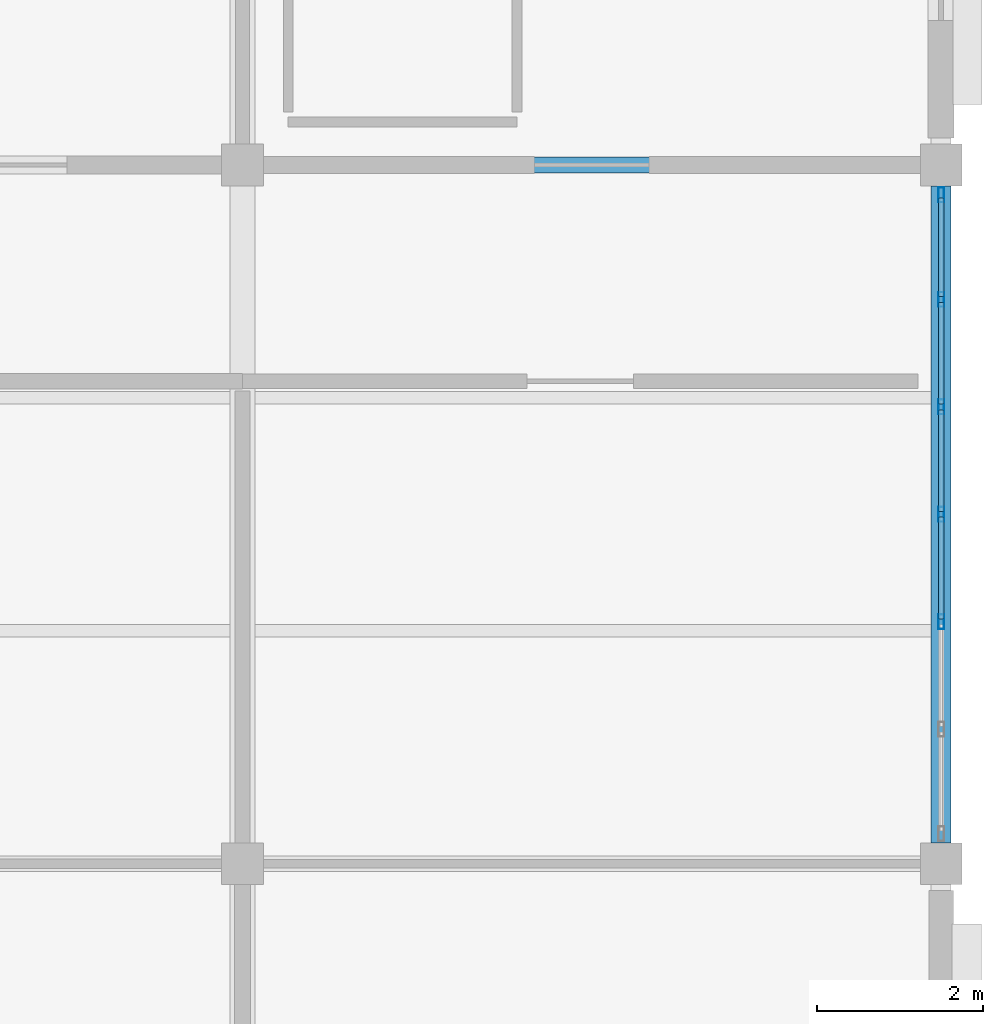
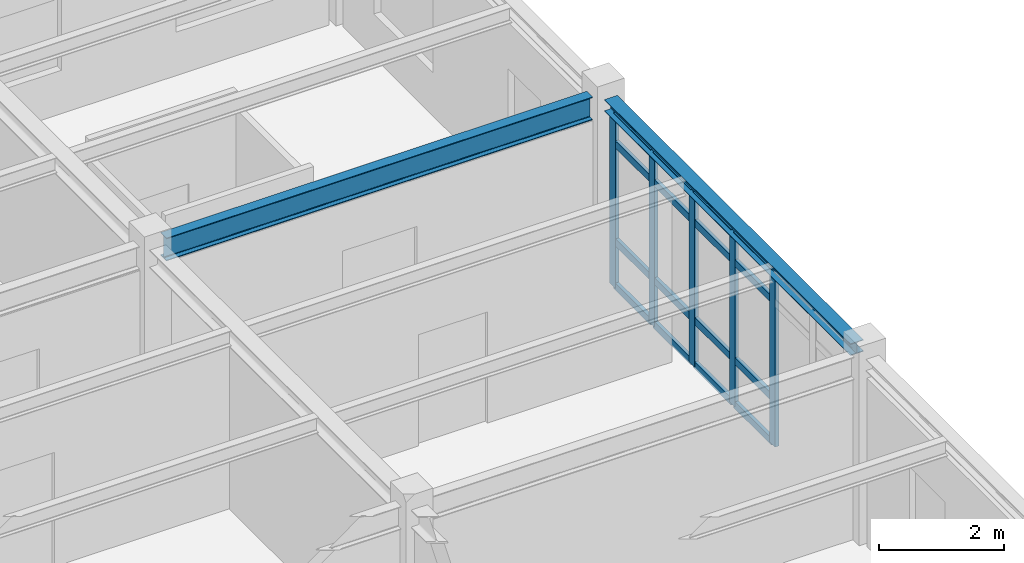
# One storey, part 42 of 86: 21 members, 2 beams, 1 element without a shape of its own.
"""IFC4 building model written with IfcOpenShell, lengths in metres."""

from ifc_helpers import new_model, si_unit, direction, frame, origin, origin_2d, place, context, subcontext, project, spatial, hollow_rectangle, i_section, extrude, material, layer, layer_set, material_profile, profile_set, type_object, element, aggregate, save


model = new_model("IFC4")

# Units and contexts
model_context = context("Model", 3, precision=1e-05, world=origin(), true_north=direction((0.0, 1.0)))
body_context = subcontext(model_context, "Body", "Model", "MODEL_VIEW")
ifc_project = project(units=[si_unit("LENGTHUNIT", "METRE"), si_unit("AREAUNIT", "SQUARE_METRE"), si_unit("VOLUMEUNIT", "CUBIC_METRE"), si_unit("PLANEANGLEUNIT", "RADIAN"), si_unit("MASSUNIT", "GRAM", prefix="KILO")], contexts=[model_context])

# Site, building, storey
site_placement = place(None, origin())
site = spatial("IfcSite", under=ifc_project, at=site_placement, CompositionType="ELEMENT")
building_placement = place(site_placement, origin())
building = spatial("IfcBuilding", under=site, at=building_placement, Name="Bramfleet General Hospital", CompositionType="ELEMENT")
storey_placement = place(building_placement, frame((0.0, 0.0, 18.60009765625)))
storey = spatial("IfcBuildingStorey", under=building, at=storey_placement, Name="L04", CompositionType="ELEMENT", Elevation=18.60009765625)

# Beams
ifc_material_1 = material(Name="Steel S355", Category="steel")
ifc_material_profile_1 = material_profile(ifc_material_1, i_section(OverallWidth=0.239990234375, OverallDepth=0.22998046875, WebThickness=0.007568359375, FlangeThickness=0.011962890625, FilletRadius=0.02099609375, at=origin_2d()), Name="HEA 240")
ifc_profile_set_1 = profile_set([ifc_material_profile_1], Name="Steel S355")
beam_type_1 = type_object("IfcBeamType", Name="BM-HEA240", PredefinedType="SPANDREL", material=ifc_profile_set_1)
beam_1_placement = place(storey_placement, frame((168.0, 101.050048828125, 3.494873046875), z_axis=(0.0, 1.0, 0.0), x_axis=(-1.0, 0.0, 0.0)))
element("IfcBeam", 1, at=beam_1_placement, inside=storey, type_object=beam_type_1, Name="L04 Grid Beam Y 20-12", PredefinedType="SPANDREL", context=body_context, shape_type="SweptSolid", body=[
    extrude(i_section(OverallWidth=0.239990234375, OverallDepth=0.22998046875, WebThickness=0.007568359375, FlangeThickness=0.011962890625, FilletRadius=0.02099609375, at=origin_2d()), origin(), (0.0, 0.0, 1.0), 7.89990234375),
])
ifc_material_profile_2 = material_profile(ifc_material_1, i_section(OverallWidth=0.18994140625, OverallDepth=0.449951171875, WebThickness=0.009521484375, FlangeThickness=0.0146484375, FilletRadius=0.02099609375, at=origin_2d()), Name="IPE 450")
ifc_profile_set_2 = profile_set([ifc_material_profile_2], Name="Steel S355")
beam_type_2 = type_object("IfcBeamType", Name="BM-IPE450", PredefinedType="BEAM", material=ifc_profile_set_2)
beam_2_placement = place(storey_placement, frame((159.85009765625, 109.199951171875, 3.385009765625), z_axis=(1.0, 0.0, 0.0), x_axis=(0.0, 1.0, 0.0)))
element("IfcBeam", 2, at=beam_2_placement, inside=storey, type_object=beam_type_2, Name="L04 Grid Beam X 19-13", PredefinedType="BEAM", context=body_context, shape_type="SweptSolid", body=[
    extrude(i_section(OverallWidth=0.18994140625, OverallDepth=0.449951171875, WebThickness=0.009521484375, FlangeThickness=0.0146484375, FilletRadius=0.02099609375, at=origin_2d()), origin(), (0.0, 0.0, 1.0), 7.89990234375),
])

# Curtain wall, members
ifc_material_2 = material(Name="Anodised aluminium and low-E triple glazing", Category="aluminium")
ifc_layer = layer(ifc_material_2, 0.179931640625, Name="CWT-CW-10")
ifc_layer_set = layer_set([ifc_layer], Name="Anodised aluminium and low-E triple glazing")
curtain_wall_type = type_object("IfcCurtainWallType", Name="CWT-CW-10", PredefinedType="USERDEFINED", material=ifc_layer_set)
curtain_wall_placement = place(storey_placement, origin())
curtain_wall = element("IfcCurtainWall", 3, at=curtain_wall_placement, inside=storey, type_object=curtain_wall_type, Name="L04 Curtain Wall 190", ObjectType="Stick curtain wall", PredefinedType="USERDEFINED")
ifc_material_3 = material(Name="Anodised aluminium EN AW-6060", Category="aluminium")
ifc_material_profile_3 = material_profile(ifc_material_3, hollow_rectangle(XDim=0.070068359375, YDim=0.179931640625, WallThickness=0.00390625, at=origin_2d()), Name="ALU 180x70x4.0")
ifc_profile_set_3 = profile_set([ifc_material_profile_3], Name="Anodised aluminium EN AW-6060")
member_type_1 = type_object("IfcMemberType", Name="CWM-ALU180", PredefinedType="MULLION", material=ifc_profile_set_3)
member_1_placement = place(storey_placement, frame((168.0, 108.840087890625, 0.0), z_axis=(0.0, 0.0, 1.0), x_axis=(1.0, 0.0, 0.0)))
member_1 = element("IfcMember", 4, at=member_1_placement, type_object=member_type_1, Name="CW-10 mullion 1", PredefinedType="MULLION", context=body_context, shape_type="SweptSolid", body=[
    extrude(hollow_rectangle(XDim=0.070068359375, YDim=0.179931640625, WallThickness=0.00390625, at=origin_2d()), origin(), (0.0, 0.0, 1.0), 3.369873046875),
])
member_2_placement = place(storey_placement, frame((168.0, 107.583251953125, 0.0), z_axis=(0.0, 0.0, 1.0), x_axis=(1.0, 0.0, 0.0)))
member_2 = element("IfcMember", 5, at=member_2_placement, type_object=member_type_1, Name="CW-10 mullion 2", PredefinedType="MULLION", context=body_context, shape_type="SweptSolid", body=[
    extrude(hollow_rectangle(XDim=0.070068359375, YDim=0.179931640625, WallThickness=0.00390625, at=origin_2d()), origin(), (0.0, 0.0, 1.0), 3.369873046875),
])
member_3_placement = place(storey_placement, frame((168.0, 106.291748046875, 0.0), z_axis=(0.0, 0.0, 1.0), x_axis=(1.0, 0.0, 0.0)))
member_3 = element("IfcMember", 6, at=member_3_placement, type_object=member_type_1, Name="CW-10 mullion 3", PredefinedType="MULLION", context=body_context, shape_type="SweptSolid", body=[
    extrude(hollow_rectangle(XDim=0.070068359375, YDim=0.179931640625, WallThickness=0.00390625, at=origin_2d()), origin(), (0.0, 0.0, 1.0), 3.369873046875),
])
member_4_placement = place(storey_placement, frame((168.0, 105.0, 0.0), z_axis=(0.0, 0.0, 1.0), x_axis=(1.0, 0.0, 0.0)))
member_4 = element("IfcMember", 7, at=member_4_placement, type_object=member_type_1, Name="CW-10 mullion 4", PredefinedType="MULLION", context=body_context, shape_type="SweptSolid", body=[
    extrude(hollow_rectangle(XDim=0.070068359375, YDim=0.179931640625, WallThickness=0.00390625, at=origin_2d()), origin(), (0.0, 0.0, 1.0), 3.369873046875),
])
member_5_placement = place(storey_placement, frame((168.0, 103.708251953125, 0.0), z_axis=(0.0, 0.0, 1.0), x_axis=(1.0, 0.0, 0.0)))
member_5 = element("IfcMember", 8, at=member_5_placement, type_object=member_type_1, Name="CW-10 mullion 5", PredefinedType="MULLION", context=body_context, shape_type="SweptSolid", body=[
    extrude(hollow_rectangle(XDim=0.070068359375, YDim=0.179931640625, WallThickness=0.00390625, at=origin_2d()), origin(), (0.0, 0.0, 1.0), 3.369873046875),
])
ifc_material_profile_4 = material_profile(ifc_material_3, hollow_rectangle(XDim=0.06494140625, YDim=0.139892578125, WallThickness=0.00390625, at=origin_2d()), Name="ALU 140x65x4.0")
ifc_profile_set_4 = profile_set([ifc_material_profile_4], Name="Anodised aluminium EN AW-6060")
member_type_2 = type_object("IfcMemberType", Name="CWT-ALU140", PredefinedType="USERDEFINED", material=ifc_profile_set_4)
member_6_placement = place(storey_placement, frame((168.0, 108.804931640625, 0.032470703125), z_axis=(0.0, -1.0, 0.0), x_axis=(1.0, 0.0, 0.0)))
member_6 = element("IfcMember", 9, at=member_6_placement, type_object=member_type_2, Name="CW-10 transom 1.1", ObjectType="TRANSOM", PredefinedType="USERDEFINED", context=body_context, shape_type="SweptSolid", body=[
    extrude(hollow_rectangle(XDim=0.06494140625, YDim=0.139892578125, WallThickness=0.00390625, at=origin_2d()), origin(), (0.0, 0.0, 1.0), 1.1865234375),
])
member_7_placement = place(storey_placement, frame((168.0, 108.804931640625, 0.89990234375), z_axis=(0.0, -1.0, 0.0), x_axis=(1.0, 0.0, 0.0)))
member_7 = element("IfcMember", 10, at=member_7_placement, type_object=member_type_2, Name="CW-10 transom 1.2", ObjectType="TRANSOM", PredefinedType="USERDEFINED", context=body_context, shape_type="SweptSolid", body=[
    extrude(hollow_rectangle(XDim=0.06494140625, YDim=0.139892578125, WallThickness=0.00390625, at=origin_2d()), origin(), (0.0, 0.0, 1.0), 1.1865234375),
])
member_8_placement = place(storey_placement, frame((168.0, 108.804931640625, 2.81982421875), z_axis=(0.0, -1.0, 0.0), x_axis=(1.0, 0.0, 0.0)))
member_8 = element("IfcMember", 11, at=member_8_placement, type_object=member_type_2, Name="CW-10 transom 1.3", ObjectType="TRANSOM", PredefinedType="USERDEFINED", context=body_context, shape_type="SweptSolid", body=[
    extrude(hollow_rectangle(XDim=0.06494140625, YDim=0.139892578125, WallThickness=0.00390625, at=origin_2d()), origin(), (0.0, 0.0, 1.0), 1.1865234375),
])
member_9_placement = place(storey_placement, frame((168.0, 108.804931640625, 3.33740234375), z_axis=(0.0, -1.0, 0.0), x_axis=(1.0, 0.0, 0.0)))
member_9 = element("IfcMember", 12, at=member_9_placement, type_object=member_type_2, Name="CW-10 transom 1.4", ObjectType="TRANSOM", PredefinedType="USERDEFINED", context=body_context, shape_type="SweptSolid", body=[
    extrude(hollow_rectangle(XDim=0.06494140625, YDim=0.139892578125, WallThickness=0.00390625, at=origin_2d()), origin(), (0.0, 0.0, 1.0), 1.1865234375),
])
member_10_placement = place(storey_placement, frame((168.0, 107.54833984375, 0.032470703125), z_axis=(0.0, -1.0, 0.0), x_axis=(1.0, 0.0, 0.0)))
member_10 = element("IfcMember", 13, at=member_10_placement, type_object=member_type_2, Name="CW-10 transom 2.1", ObjectType="TRANSOM", PredefinedType="USERDEFINED", context=body_context, shape_type="SweptSolid", body=[
    extrude(hollow_rectangle(XDim=0.06494140625, YDim=0.139892578125, WallThickness=0.00390625, at=origin_2d()), origin(), (0.0, 0.0, 1.0), 1.2216796875),
])
member_11_placement = place(storey_placement, frame((168.0, 107.54833984375, 0.89990234375), z_axis=(0.0, -1.0, 0.0), x_axis=(1.0, 0.0, 0.0)))
member_11 = element("IfcMember", 14, at=member_11_placement, type_object=member_type_2, Name="CW-10 transom 2.2", ObjectType="TRANSOM", PredefinedType="USERDEFINED", context=body_context, shape_type="SweptSolid", body=[
    extrude(hollow_rectangle(XDim=0.06494140625, YDim=0.139892578125, WallThickness=0.00390625, at=origin_2d()), origin(), (0.0, 0.0, 1.0), 1.2216796875),
])
member_12_placement = place(storey_placement, frame((168.0, 107.54833984375, 2.81982421875), z_axis=(0.0, -1.0, 0.0), x_axis=(1.0, 0.0, 0.0)))
member_12 = element("IfcMember", 15, at=member_12_placement, type_object=member_type_2, Name="CW-10 transom 2.3", ObjectType="TRANSOM", PredefinedType="USERDEFINED", context=body_context, shape_type="SweptSolid", body=[
    extrude(hollow_rectangle(XDim=0.06494140625, YDim=0.139892578125, WallThickness=0.00390625, at=origin_2d()), origin(), (0.0, 0.0, 1.0), 1.2216796875),
])
member_13_placement = place(storey_placement, frame((168.0, 107.54833984375, 3.33740234375), z_axis=(0.0, -1.0, 0.0), x_axis=(1.0, 0.0, 0.0)))
member_13 = element("IfcMember", 16, at=member_13_placement, type_object=member_type_2, Name="CW-10 transom 2.4", ObjectType="TRANSOM", PredefinedType="USERDEFINED", context=body_context, shape_type="SweptSolid", body=[
    extrude(hollow_rectangle(XDim=0.06494140625, YDim=0.139892578125, WallThickness=0.00390625, at=origin_2d()), origin(), (0.0, 0.0, 1.0), 1.2216796875),
])
member_14_placement = place(storey_placement, frame((168.0, 106.256591796875, 0.032470703125), z_axis=(0.0, -1.0, 0.0), x_axis=(1.0, 0.0, 0.0)))
member_14 = element("IfcMember", 17, at=member_14_placement, type_object=member_type_2, Name="CW-10 transom 3.1", ObjectType="TRANSOM", PredefinedType="USERDEFINED", context=body_context, shape_type="SweptSolid", body=[
    extrude(hollow_rectangle(XDim=0.06494140625, YDim=0.139892578125, WallThickness=0.00390625, at=origin_2d()), origin(), (0.0, 0.0, 1.0), 1.2216796875),
])
member_15_placement = place(storey_placement, frame((168.0, 106.256591796875, 0.89990234375), z_axis=(0.0, -1.0, 0.0), x_axis=(1.0, 0.0, 0.0)))
member_15 = element("IfcMember", 18, at=member_15_placement, type_object=member_type_2, Name="CW-10 transom 3.2", ObjectType="TRANSOM", PredefinedType="USERDEFINED", context=body_context, shape_type="SweptSolid", body=[
    extrude(hollow_rectangle(XDim=0.06494140625, YDim=0.139892578125, WallThickness=0.00390625, at=origin_2d()), origin(), (0.0, 0.0, 1.0), 1.2216796875),
])
member_16_placement = place(storey_placement, frame((168.0, 106.256591796875, 2.81982421875), z_axis=(0.0, -1.0, 0.0), x_axis=(1.0, 0.0, 0.0)))
member_16 = element("IfcMember", 19, at=member_16_placement, type_object=member_type_2, Name="CW-10 transom 3.3", ObjectType="TRANSOM", PredefinedType="USERDEFINED", context=body_context, shape_type="SweptSolid", body=[
    extrude(hollow_rectangle(XDim=0.06494140625, YDim=0.139892578125, WallThickness=0.00390625, at=origin_2d()), origin(), (0.0, 0.0, 1.0), 1.2216796875),
])
member_17_placement = place(storey_placement, frame((168.0, 106.256591796875, 3.33740234375), z_axis=(0.0, -1.0, 0.0), x_axis=(1.0, 0.0, 0.0)))
member_17 = element("IfcMember", 20, at=member_17_placement, type_object=member_type_2, Name="CW-10 transom 3.4", ObjectType="TRANSOM", PredefinedType="USERDEFINED", context=body_context, shape_type="SweptSolid", body=[
    extrude(hollow_rectangle(XDim=0.06494140625, YDim=0.139892578125, WallThickness=0.00390625, at=origin_2d()), origin(), (0.0, 0.0, 1.0), 1.2216796875),
])
member_18_placement = place(storey_placement, frame((168.0, 104.965087890625, 0.032470703125), z_axis=(0.0, -1.0, 0.0), x_axis=(1.0, 0.0, 0.0)))
member_18 = element("IfcMember", 21, at=member_18_placement, type_object=member_type_2, Name="CW-10 transom 4.1", ObjectType="TRANSOM", PredefinedType="USERDEFINED", context=body_context, shape_type="SweptSolid", body=[
    extrude(hollow_rectangle(XDim=0.06494140625, YDim=0.139892578125, WallThickness=0.00390625, at=origin_2d()), origin(), (0.0, 0.0, 1.0), 1.2216796875),
])
member_19_placement = place(storey_placement, frame((168.0, 104.965087890625, 0.89990234375), z_axis=(0.0, -1.0, 0.0), x_axis=(1.0, 0.0, 0.0)))
member_19 = element("IfcMember", 22, at=member_19_placement, type_object=member_type_2, Name="CW-10 transom 4.2", ObjectType="TRANSOM", PredefinedType="USERDEFINED", context=body_context, shape_type="SweptSolid", body=[
    extrude(hollow_rectangle(XDim=0.06494140625, YDim=0.139892578125, WallThickness=0.00390625, at=origin_2d()), origin(), (0.0, 0.0, 1.0), 1.2216796875),
])
member_20_placement = place(storey_placement, frame((168.0, 104.965087890625, 2.81982421875), z_axis=(0.0, -1.0, 0.0), x_axis=(1.0, 0.0, 0.0)))
member_20 = element("IfcMember", 23, at=member_20_placement, type_object=member_type_2, Name="CW-10 transom 4.3", ObjectType="TRANSOM", PredefinedType="USERDEFINED", context=body_context, shape_type="SweptSolid", body=[
    extrude(hollow_rectangle(XDim=0.06494140625, YDim=0.139892578125, WallThickness=0.00390625, at=origin_2d()), origin(), (0.0, 0.0, 1.0), 1.2216796875),
])
member_21_placement = place(storey_placement, frame((168.0, 104.965087890625, 3.33740234375), z_axis=(0.0, -1.0, 0.0), x_axis=(1.0, 0.0, 0.0)))
member_21 = element("IfcMember", 24, at=member_21_placement, type_object=member_type_2, Name="CW-10 transom 4.4", ObjectType="TRANSOM", PredefinedType="USERDEFINED", context=body_context, shape_type="SweptSolid", body=[
    extrude(hollow_rectangle(XDim=0.06494140625, YDim=0.139892578125, WallThickness=0.00390625, at=origin_2d()), origin(), (0.0, 0.0, 1.0), 1.2216796875),
])
aggregate(curtain_wall, [member_1, member_2, member_3, member_4, member_5, member_6, member_7, member_8, member_9, member_10, member_11, member_12, member_13, member_14, member_15, member_16, member_17, member_18, member_19, member_20, member_21])

save(model, "model.ifc")
